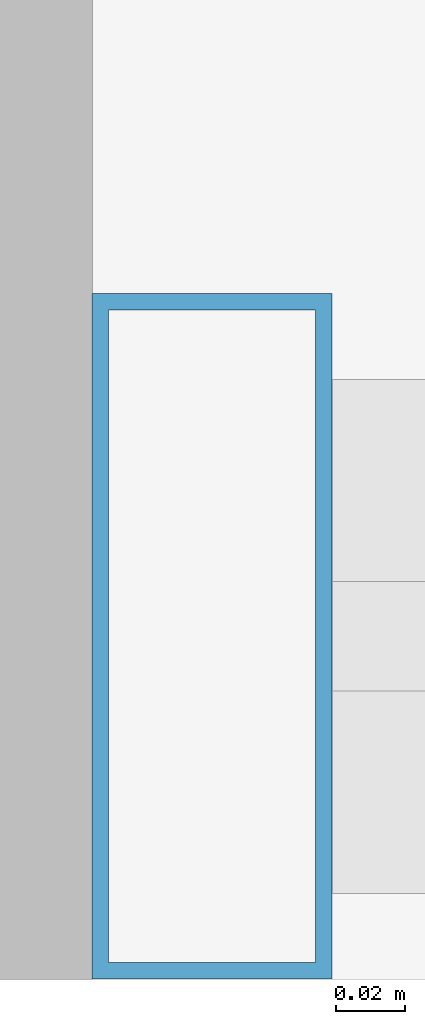
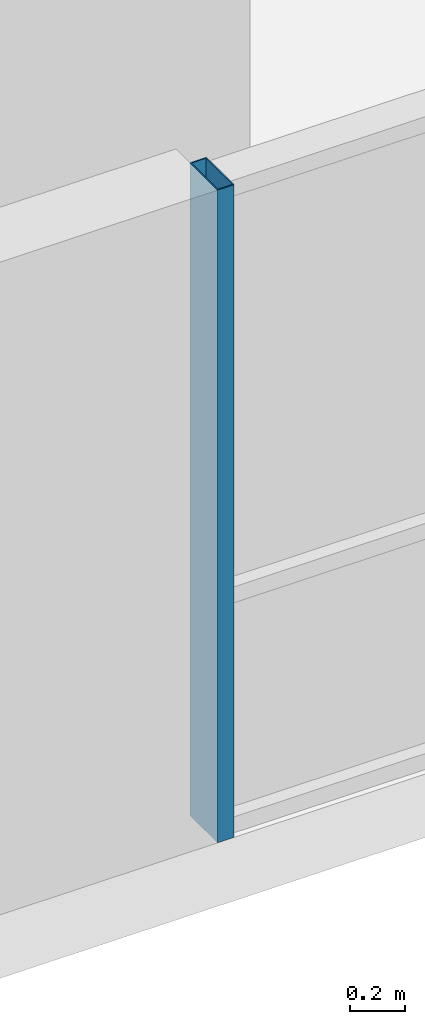
# One storey, part 2 of 30: 1 member, 1 element without a shape of its own.
"""IFC4 building model written with IfcOpenShell, lengths in metres."""

from ifc_helpers import new_model, si_unit, direction, frame, origin, origin_2d, place, context, subcontext, project, spatial, hollow_rectangle, extrude, source, transform, mapped, material, layer, layer_set, material_profile, profile_set, type_object, element, aggregate, save


model = new_model("IFC4")

# Units and contexts
model_context = context("Model", 3, precision=1e-05, world=origin(), true_north=direction((0.0, 1.0)))
body_context = subcontext(model_context, "Body", "Model", "MODEL_VIEW")
ifc_project = project(units=[si_unit("LENGTHUNIT", "METRE"), si_unit("AREAUNIT", "SQUARE_METRE"), si_unit("VOLUMEUNIT", "CUBIC_METRE"), si_unit("PLANEANGLEUNIT", "RADIAN"), si_unit("MASSUNIT", "GRAM", prefix="KILO")], contexts=[model_context])

# Site, building, storey
site_placement = place(None, origin())
site = spatial("IfcSite", under=ifc_project, at=site_placement, CompositionType="ELEMENT")
building_placement = place(site_placement, origin())
building = spatial("IfcBuilding", under=site, at=building_placement, Name="Saelheon Loggia Tower", CompositionType="ELEMENT")
storey_placement = place(building_placement, frame((0.0, 0.0, 7.800048828125)))
storey = spatial("IfcBuildingStorey", under=building, at=storey_placement, Name="L02", CompositionType="ELEMENT", Elevation=7.800048828125)

# Curtain wall, member
ifc_material_1 = material(Name="Aluminium 6063-T6 and Low-E IGU", Category="aluminium")
ifc_layer = layer(ifc_material_1, 0.179931640625)
ifc_layer_set = layer_set([ifc_layer], Name="Aluminium 6063-T6 and Low-E IGU")
curtain_wall_type = type_object("IfcCurtainWallType", Name="CW_PodiumClinic", PredefinedType="NOTDEFINED", material=ifc_layer_set)
curtain_wall_placement = place(storey_placement, origin())
curtain_wall = element("IfcCurtainWall", 1, at=curtain_wall_placement, inside=storey, type_object=curtain_wall_type, Name="L02 South Clinic Curtain Wall 1", PredefinedType="NOTDEFINED")
ifc_material_2 = material(Name="Anodised Aluminium 6063-T6", Category="aluminium")
ifc_material_profile = material_profile(ifc_material_2, hollow_rectangle(XDim=0.070068359375, YDim=0.199951171875, WallThickness=0.0048828125, at=origin_2d()), Name="RHS-200x70x5")
ifc_profile_set = profile_set([ifc_material_profile], Name="Anodised Aluminium 6063-T6")
member_type = type_object("IfcMemberType", Name="CW_PodiumClinic_Mullion", PredefinedType="MULLION", material=ifc_profile_set)
shared_shape = source(origin(), body_context, "Body", "SweptSolid", [
    extrude(hollow_rectangle(XDim=0.070068359375, YDim=0.199951171875, WallThickness=0.0048828125, at=origin_2d()), origin(), (0.0, 0.0, 1.0), 2.8798828125),
])
member_placement = place(storey_placement, frame((16.034912109375, 0.10009765625, 0.0), z_axis=(0.0, 0.0, 1.0), x_axis=(1.0, 0.0, 0.0)))
member = element("IfcMember", 2, at=member_placement, type_object=member_type, Name="CW1 mullion 1", PredefinedType="MULLION", context=body_context, shape_type="MappedRepresentation", body=[
    mapped(shared_shape, transform((0.0, 0.0, 0.0), scale=1.0)),
])
aggregate(curtain_wall, [member])

save(model, "model.ifc")
